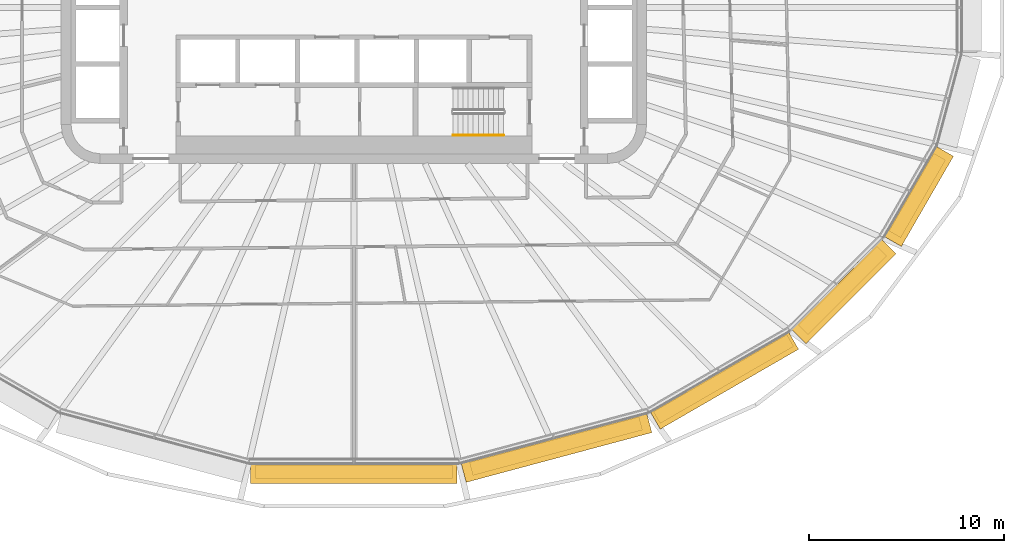
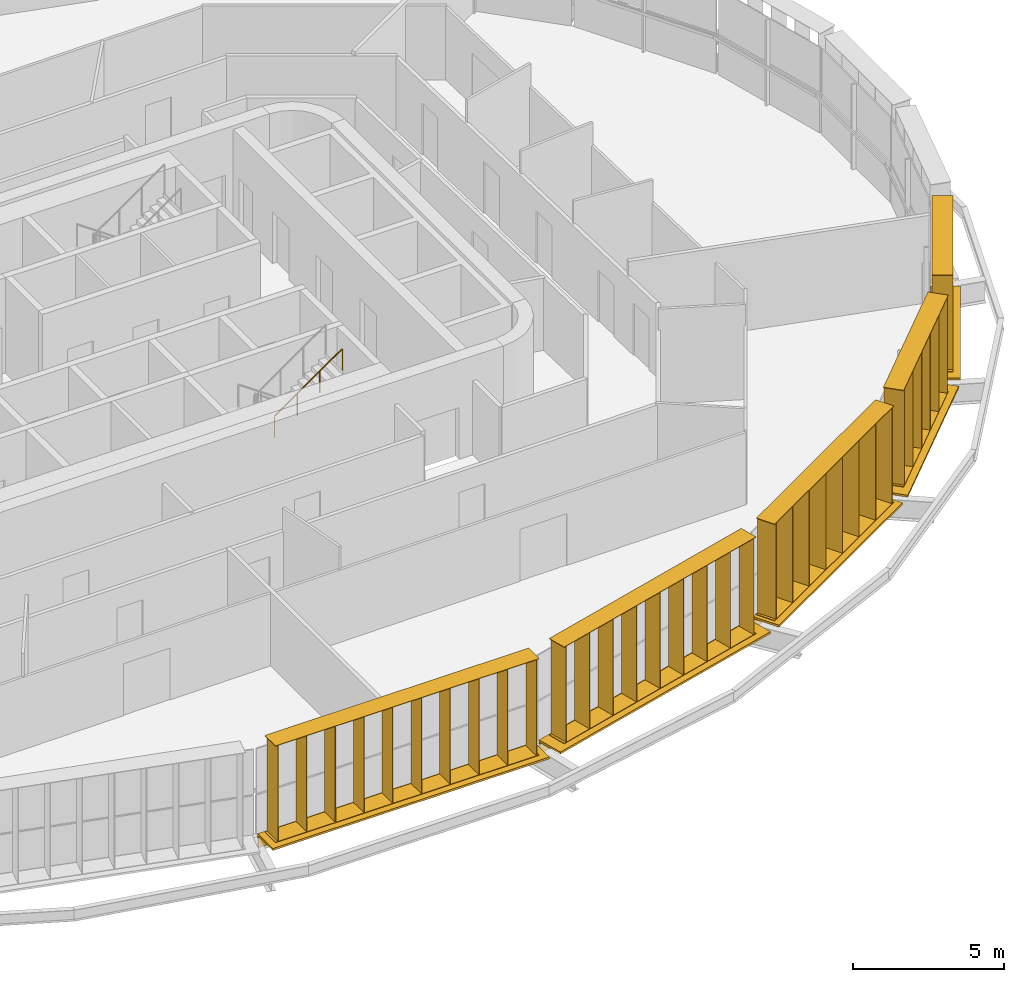
# One storey, part 20 of 23: 10 shading devices, 1 railing.
"""IFC4 building model written with IfcOpenShell, lengths in metres."""

from ifc_helpers import new_model, si_unit, direction, frame, origin, origin_2d, place, context, subcontext, project, spatial, rectangle, circle, extrude, material, type_object, element, save


model = new_model("IFC4")

# Units and contexts
model_context = context("Model", 3, precision=1e-05, world=origin(), true_north=direction((0.0, 1.0)))
body_context = subcontext(model_context, "Body", "Model", "MODEL_VIEW")
ifc_project = project(units=[si_unit("LENGTHUNIT", "METRE"), si_unit("AREAUNIT", "SQUARE_METRE"), si_unit("VOLUMEUNIT", "CUBIC_METRE"), si_unit("PLANEANGLEUNIT", "RADIAN"), si_unit("MASSUNIT", "GRAM", prefix="KILO")], contexts=[model_context])

# Site, building, storey
site_placement = place(None, origin())
site = spatial("IfcSite", under=ifc_project, at=site_placement, CompositionType="ELEMENT")
building_placement = place(site_placement, origin())
building = spatial("IfcBuilding", under=site, at=building_placement, Name="Sahrelin Media Tower", CompositionType="ELEMENT")
storey_placement = place(building_placement, frame((0.0, 0.0, 173.60009765625)))
storey = spatial("IfcBuildingStorey", under=building, at=storey_placement, Name="L36", CompositionType="ELEMENT", Elevation=173.60009765625)

# Shading devices
ifc_material_1 = material(Name="Champagne anodised aluminium 6063-T6", Category="aluminium")
shading_device_type_1 = type_object("IfcShadingDeviceType", Name="Fin cassette", PredefinedType="USERDEFINED", material=ifc_material_1)
placement_1 = place(storey_placement, frame((0.0, -23.37646484375, 0.0), z_axis=(0.0, 0.0, 1.0), x_axis=(-1.0, 0.0, 0.0)))
element("IfcShadingDevice", 1, at=placement_1, inside=storey, type_object=shading_device_type_1, Name="L36:FIN:L36-18", ObjectType="FIN", PredefinedType="USERDEFINED", context=body_context, shape_type="SweptSolid", body=[
    extrude(rectangle(XDim=10.10009765625, YDim=0.699951171875, at=origin_2d()), frame((0.0, 0.419921875, 0.0)), (0.0, 0.0, 1.0), 0.02001953125),
    extrude(rectangle(XDim=10.10009765625, YDim=0.699951171875, at=origin_2d()), frame((0.0, 0.419921875, 3.89990234375)), (0.0, 0.0, 1.0), 0.02001953125),
    extrude(rectangle(XDim=0.02001953125, YDim=0.699951171875, at=origin_2d()), frame((-4.949951171875, 0.419921875, 0.010009765625), z_axis=(0.0, 0.0, 1.0), x_axis=(1.0, 0.0, 0.0)), (0.0, 0.0, 1.0), 3.89990234375),
    extrude(rectangle(XDim=0.02001953125, YDim=0.699951171875, at=origin_2d()), frame((-3.85009765625, 0.419921875, 0.010009765625), z_axis=(0.0, 0.0, 1.0), x_axis=(1.0, 0.0, 0.0)), (0.0, 0.0, 1.0), 3.89990234375),
    extrude(rectangle(XDim=0.02001953125, YDim=0.699951171875, at=origin_2d()), frame((-2.75, 0.419921875, 0.010009765625), z_axis=(0.0, 0.0, 1.0), x_axis=(1.0, 0.0, 0.0)), (0.0, 0.0, 1.0), 3.89990234375),
    extrude(rectangle(XDim=0.02001953125, YDim=0.699951171875, at=origin_2d()), frame((-1.64990234375, 0.419921875, 0.010009765625), z_axis=(0.0, 0.0, 1.0), x_axis=(1.0, 0.0, 0.0)), (0.0, 0.0, 1.0), 3.89990234375),
    extrude(rectangle(XDim=0.02001953125, YDim=0.699951171875, at=origin_2d()), frame((-0.550048828125, 0.419921875, 0.010009765625), z_axis=(0.0, 0.0, 1.0), x_axis=(1.0, 0.0, 0.0)), (0.0, 0.0, 1.0), 3.89990234375),
    extrude(rectangle(XDim=0.02001953125, YDim=0.699951171875, at=origin_2d()), frame((0.550048828125, 0.419921875, 0.010009765625), z_axis=(0.0, 0.0, 1.0), x_axis=(1.0, 0.0, 0.0)), (0.0, 0.0, 1.0), 3.89990234375),
    extrude(rectangle(XDim=0.02001953125, YDim=0.699951171875, at=origin_2d()), frame((1.64990234375, 0.419921875, 0.010009765625), z_axis=(0.0, 0.0, 1.0), x_axis=(1.0, 0.0, 0.0)), (0.0, 0.0, 1.0), 3.89990234375),
    extrude(rectangle(XDim=0.02001953125, YDim=0.699951171875, at=origin_2d()), frame((2.75, 0.419921875, 0.010009765625), z_axis=(0.0, 0.0, 1.0), x_axis=(1.0, 0.0, 0.0)), (0.0, 0.0, 1.0), 3.89990234375),
    extrude(rectangle(XDim=0.02001953125, YDim=0.699951171875, at=origin_2d()), frame((3.85009765625, 0.419921875, 0.010009765625), z_axis=(0.0, 0.0, 1.0), x_axis=(1.0, 0.0, 0.0)), (0.0, 0.0, 1.0), 3.89990234375),
    extrude(rectangle(XDim=0.02001953125, YDim=0.699951171875, at=origin_2d()), frame((4.949951171875, 0.419921875, 0.010009765625), z_axis=(0.0, 0.0, 1.0), x_axis=(1.0, 0.0, 0.0)), (0.0, 0.0, 1.0), 3.89990234375),
])
placement_2 = place(storey_placement, frame((10.246826171875, -22.075927734375, 0.0), z_axis=(0.0, 0.0, 1.0), x_axis=(-0.965928857556, -0.258807731996, 0.0)))
element("IfcShadingDevice", 2, at=placement_2, inside=storey, type_object=shading_device_type_1, Name="L36:FIN:L36-19", ObjectType="FIN", PredefinedType="USERDEFINED", context=body_context, shape_type="SweptSolid", body=[
    extrude(rectangle(XDim=9.0, YDim=0.699951171875, at=origin_2d()), frame((0.0, 0.419921875, 0.0)), (0.0, 0.0, 1.0), 0.02001953125),
    extrude(rectangle(XDim=9.0, YDim=0.699951171875, at=origin_2d()), frame((0.0, 0.419921875, 3.89990234375)), (0.0, 0.0, 1.0), 0.02001953125),
    extrude(rectangle(XDim=0.02001953125, YDim=0.699951171875, at=origin_2d()), frame((-4.39990234375, 0.419921875, 0.010009765625), z_axis=(0.0, 0.0, 1.0), x_axis=(1.0, 0.0, 0.0)), (0.0, 0.0, 1.0), 3.89990234375),
    extrude(rectangle(XDim=0.02001953125, YDim=0.699951171875, at=origin_2d()), frame((-3.300048828125, 0.419921875, 0.010009765625), z_axis=(0.0, 0.0, 1.0), x_axis=(1.0, 0.0, 0.0)), (0.0, 0.0, 1.0), 3.89990234375),
    extrude(rectangle(XDim=0.02001953125, YDim=0.699951171875, at=origin_2d()), frame((-2.199951171875, 0.419921875, 0.010009765625), z_axis=(0.0, 0.0, 1.0), x_axis=(1.0, 0.0, 0.0)), (0.0, 0.0, 1.0), 3.89990234375),
    extrude(rectangle(XDim=0.02001953125, YDim=0.699951171875, at=origin_2d()), frame((-1.10009765625, 0.419921875, 0.010009765625), z_axis=(0.0, 0.0, 1.0), x_axis=(1.0, 0.0, 0.0)), (0.0, 0.0, 1.0), 3.89990234375),
    extrude(rectangle(XDim=0.02001953125, YDim=0.699951171875, at=origin_2d()), frame((0.0, 0.419921875, 0.010009765625), z_axis=(0.0, 0.0, 1.0), x_axis=(1.0, 0.0, 0.0)), (0.0, 0.0, 1.0), 3.89990234375),
    extrude(rectangle(XDim=0.02001953125, YDim=0.699951171875, at=origin_2d()), frame((1.10009765625, 0.419921875, 0.010009765625), z_axis=(0.0, 0.0, 1.0), x_axis=(1.0, 0.0, 0.0)), (0.0, 0.0, 1.0), 3.89990234375),
    extrude(rectangle(XDim=0.02001953125, YDim=0.699951171875, at=origin_2d()), frame((2.199951171875, 0.419921875, 0.010009765625), z_axis=(0.0, 0.0, 1.0), x_axis=(1.0, 0.0, 0.0)), (0.0, 0.0, 1.0), 3.89990234375),
    extrude(rectangle(XDim=0.02001953125, YDim=0.699951171875, at=origin_2d()), frame((3.300048828125, 0.419921875, 0.010009765625), z_axis=(0.0, 0.0, 1.0), x_axis=(1.0, 0.0, 0.0)), (0.0, 0.0, 1.0), 3.89990234375),
    extrude(rectangle(XDim=0.02001953125, YDim=0.699951171875, at=origin_2d()), frame((4.39990234375, 0.419921875, 0.010009765625), z_axis=(0.0, 0.0, 1.0), x_axis=(1.0, 0.0, 0.0)), (0.0, 0.0, 1.0), 3.89990234375),
])
placement_3 = place(storey_placement, frame((18.73095703125, -18.67919921875, 0.0), z_axis=(0.0, 0.0, 1.0), x_axis=(-0.866019052629, -0.500011000363, 0.0)))
element("IfcShadingDevice", 3, at=placement_3, inside=storey, type_object=shading_device_type_1, Name="L36:FIN:L36-20", ObjectType="FIN", PredefinedType="USERDEFINED", context=body_context, shape_type="SweptSolid", body=[
    extrude(rectangle(XDim=7.89990234375, YDim=0.699951171875, at=origin_2d()), frame((0.0, 0.419921875, 0.0)), (0.0, 0.0, 1.0), 0.02001953125),
    extrude(rectangle(XDim=7.89990234375, YDim=0.699951171875, at=origin_2d()), frame((0.0, 0.419921875, 3.89990234375)), (0.0, 0.0, 1.0), 0.02001953125),
    extrude(rectangle(XDim=0.02001953125, YDim=0.699951171875, at=origin_2d()), frame((-3.85009765625, 0.419921875, 0.010009765625), z_axis=(0.0, 0.0, 1.0), x_axis=(1.0, 0.0, 0.0)), (0.0, 0.0, 1.0), 3.89990234375),
    extrude(rectangle(XDim=0.02001953125, YDim=0.699951171875, at=origin_2d()), frame((-2.75, 0.419921875, 0.010009765625), z_axis=(0.0, 0.0, 1.0), x_axis=(1.0, 0.0, 0.0)), (0.0, 0.0, 1.0), 3.89990234375),
    extrude(rectangle(XDim=0.02001953125, YDim=0.699951171875, at=origin_2d()), frame((-1.64990234375, 0.419921875, 0.010009765625), z_axis=(0.0, 0.0, 1.0), x_axis=(1.0, 0.0, 0.0)), (0.0, 0.0, 1.0), 3.89990234375),
    extrude(rectangle(XDim=0.02001953125, YDim=0.699951171875, at=origin_2d()), frame((-0.550048828125, 0.419921875, 0.010009765625), z_axis=(0.0, 0.0, 1.0), x_axis=(1.0, 0.0, 0.0)), (0.0, 0.0, 1.0), 3.89990234375),
    extrude(rectangle(XDim=0.02001953125, YDim=0.699951171875, at=origin_2d()), frame((0.550048828125, 0.419921875, 0.010009765625), z_axis=(0.0, 0.0, 1.0), x_axis=(1.0, 0.0, 0.0)), (0.0, 0.0, 1.0), 3.89990234375),
    extrude(rectangle(XDim=0.02001953125, YDim=0.699951171875, at=origin_2d()), frame((1.64990234375, 0.419921875, 0.010009765625), z_axis=(0.0, 0.0, 1.0), x_axis=(1.0, 0.0, 0.0)), (0.0, 0.0, 1.0), 3.89990234375),
    extrude(rectangle(XDim=0.02001953125, YDim=0.699951171875, at=origin_2d()), frame((2.75, 0.419921875, 0.010009765625), z_axis=(0.0, 0.0, 1.0), x_axis=(1.0, 0.0, 0.0)), (0.0, 0.0, 1.0), 3.89990234375),
    extrude(rectangle(XDim=0.02001953125, YDim=0.699951171875, at=origin_2d()), frame((3.85009765625, 0.419921875, 0.010009765625), z_axis=(0.0, 0.0, 1.0), x_axis=(1.0, 0.0, 0.0)), (0.0, 0.0, 1.0), 3.89990234375),
])
placement_4 = place(storey_placement, frame((24.740966796875, -14.2041015625, 0.0), z_axis=(0.0, 0.0, 1.0), x_axis=(-0.707106781187, -0.707106781187, 0.0)))
element("IfcShadingDevice", 4, at=placement_4, inside=storey, type_object=shading_device_type_1, Name="L36:FIN:L36-21", ObjectType="FIN", PredefinedType="USERDEFINED", context=body_context, shape_type="SweptSolid", body=[
    extrude(rectangle(XDim=5.699951171875, YDim=0.699951171875, at=origin_2d()), frame((0.0, 0.419921875, 0.0)), (0.0, 0.0, 1.0), 0.02001953125),
    extrude(rectangle(XDim=5.699951171875, YDim=0.699951171875, at=origin_2d()), frame((0.0, 0.419921875, 3.89990234375)), (0.0, 0.0, 1.0), 0.02001953125),
    extrude(rectangle(XDim=0.02001953125, YDim=0.699951171875, at=origin_2d()), frame((-2.75, 0.419921875, 0.010009765625), z_axis=(0.0, 0.0, 1.0), x_axis=(1.0, 0.0, 0.0)), (0.0, 0.0, 1.0), 3.89990234375),
    extrude(rectangle(XDim=0.02001953125, YDim=0.699951171875, at=origin_2d()), frame((-1.64990234375, 0.419921875, 0.010009765625), z_axis=(0.0, 0.0, 1.0), x_axis=(1.0, 0.0, 0.0)), (0.0, 0.0, 1.0), 3.89990234375),
    extrude(rectangle(XDim=0.02001953125, YDim=0.699951171875, at=origin_2d()), frame((-0.550048828125, 0.419921875, 0.010009765625), z_axis=(0.0, 0.0, 1.0), x_axis=(1.0, 0.0, 0.0)), (0.0, 0.0, 1.0), 3.89990234375),
    extrude(rectangle(XDim=0.02001953125, YDim=0.699951171875, at=origin_2d()), frame((0.550048828125, 0.419921875, 0.010009765625), z_axis=(0.0, 0.0, 1.0), x_axis=(1.0, 0.0, 0.0)), (0.0, 0.0, 1.0), 3.89990234375),
    extrude(rectangle(XDim=0.02001953125, YDim=0.699951171875, at=origin_2d()), frame((1.64990234375, 0.419921875, 0.010009765625), z_axis=(0.0, 0.0, 1.0), x_axis=(1.0, 0.0, 0.0)), (0.0, 0.0, 1.0), 3.89990234375),
    extrude(rectangle(XDim=0.02001953125, YDim=0.699951171875, at=origin_2d()), frame((2.75, 0.419921875, 0.010009765625), z_axis=(0.0, 0.0, 1.0), x_axis=(1.0, 0.0, 0.0)), (0.0, 0.0, 1.0), 3.89990234375),
])
placement_5 = place(storey_placement, frame((28.50439453125, -9.427001953125, 0.0), z_axis=(0.0, 0.0, 1.0), x_axis=(-0.500011000363, -0.866019052629, 0.0)))
element("IfcShadingDevice", 5, at=placement_5, inside=storey, type_object=shading_device_type_1, Name="L36:FIN:L36-22", ObjectType="FIN", PredefinedType="USERDEFINED", context=body_context, shape_type="SweptSolid", body=[
    extrude(rectangle(XDim=4.60009765625, YDim=0.699951171875, at=origin_2d()), frame((0.0, 0.419921875, 0.0)), (0.0, 0.0, 1.0), 0.02001953125),
    extrude(rectangle(XDim=4.60009765625, YDim=0.699951171875, at=origin_2d()), frame((0.0, 0.419921875, 3.89990234375)), (0.0, 0.0, 1.0), 0.02001953125),
    extrude(rectangle(XDim=0.02001953125, YDim=0.699951171875, at=origin_2d()), frame((-2.199951171875, 0.419921875, 0.010009765625), z_axis=(0.0, 0.0, 1.0), x_axis=(1.0, 0.0, 0.0)), (0.0, 0.0, 1.0), 3.89990234375),
    extrude(rectangle(XDim=0.02001953125, YDim=0.699951171875, at=origin_2d()), frame((-1.10009765625, 0.419921875, 0.010009765625), z_axis=(0.0, 0.0, 1.0), x_axis=(1.0, 0.0, 0.0)), (0.0, 0.0, 1.0), 3.89990234375),
    extrude(rectangle(XDim=0.02001953125, YDim=0.699951171875, at=origin_2d()), frame((0.0, 0.419921875, 0.010009765625), z_axis=(0.0, 0.0, 1.0), x_axis=(1.0, 0.0, 0.0)), (0.0, 0.0, 1.0), 3.89990234375),
    extrude(rectangle(XDim=0.02001953125, YDim=0.699951171875, at=origin_2d()), frame((1.10009765625, 0.419921875, 0.010009765625), z_axis=(0.0, 0.0, 1.0), x_axis=(1.0, 0.0, 0.0)), (0.0, 0.0, 1.0), 3.89990234375),
    extrude(rectangle(XDim=0.02001953125, YDim=0.699951171875, at=origin_2d()), frame((2.199951171875, 0.419921875, 0.010009765625), z_axis=(0.0, 0.0, 1.0), x_axis=(1.0, 0.0, 0.0)), (0.0, 0.0, 1.0), 3.89990234375),
])

# Railing
ifc_material_2 = material(Name="Steel S355", Category="steel")
railing_type = type_object("IfcRailingType", Name="Stair handrail 900", PredefinedType="HANDRAIL", material=ifc_material_2)
railing_placement = place(storey_placement, frame((5.074951171875, -6.550048828125, 2.181640625)))
element("IfcRailing", 6, at=railing_placement, inside=storey, type_object=railing_type, Name="L36 ST2 stair handrail 2", PredefinedType="HANDRAIL", context=body_context, shape_type="SweptSolid", body=[
    extrude(circle(Radius=0.02392578125, at=origin_2d()), frame((0.0, 0.0, 0.8759765625), z_axis=(0.819484887739, 0.0, 0.573100792852), x_axis=(0.0, 1.0, 0.0)), (0.0, 0.0, 1.0), 3.1728515625),
    extrude(circle(Radius=0.02099609375, at=origin_2d()), origin(), (0.0, 0.0, 1.0), 0.851806640625),
    extrude(circle(Radius=0.02099609375, at=origin_2d()), frame((0.86669921875, 0.0, 0.606201171875)), (0.0, 0.0, 1.0), 0.851806640625),
    extrude(circle(Radius=0.02099609375, at=origin_2d()), frame((1.7333984375, 0.0, 1.212158203125)), (0.0, 0.0, 1.0), 0.851806640625),
    extrude(circle(Radius=0.02099609375, at=origin_2d()), frame((2.60009765625, 0.0, 1.818359375)), (0.0, 0.0, 1.0), 0.851806640625),
])

# Shading devices
shading_device_type_2 = type_object("IfcShadingDeviceType", Name="Sunshade band", PredefinedType="USERDEFINED", material=ifc_material_1)
element("IfcShadingDevice", 7, at=placement_1, inside=storey, type_object=shading_device_type_2, Name="L36:SUN:L36-18", ObjectType="SUNSHADE", PredefinedType="USERDEFINED", context=body_context, shape_type="SweptSolid", body=[
    extrude(rectangle(XDim=10.587890625, YDim=0.050048828125, at=origin_2d()), frame((0.0, 0.044921875, -0.55126953125)), (0.0, 0.0, 1.0), 0.471435546875),
    extrude(rectangle(XDim=10.587890625, YDim=1.0, at=origin_2d()), frame((0.0, 0.52001953125, -0.080078125)), (0.0, 0.0, 1.0), 0.080078125),
    extrude(rectangle(XDim=0.10009765625, YDim=0.074951171875, at=origin_2d()), frame((-5.194091796875, -0.017578125, -0.47021484375)), (0.0, 0.0, 1.0), 0.300048828125),
    extrude(rectangle(XDim=0.10009765625, YDim=0.074951171875, at=origin_2d()), frame((-3.462646484375, -0.017578125, -0.47021484375)), (0.0, 0.0, 1.0), 0.300048828125),
    extrude(rectangle(XDim=0.10009765625, YDim=0.074951171875, at=origin_2d()), frame((-1.731201171875, -0.017578125, -0.47021484375)), (0.0, 0.0, 1.0), 0.300048828125),
    extrude(rectangle(XDim=0.10009765625, YDim=0.074951171875, at=origin_2d()), frame((0.0, -0.017578125, -0.47021484375)), (0.0, 0.0, 1.0), 0.300048828125),
    extrude(rectangle(XDim=0.10009765625, YDim=0.074951171875, at=origin_2d()), frame((1.731201171875, -0.017578125, -0.47021484375)), (0.0, 0.0, 1.0), 0.300048828125),
    extrude(rectangle(XDim=0.10009765625, YDim=0.074951171875, at=origin_2d()), frame((3.462646484375, -0.017578125, -0.47021484375)), (0.0, 0.0, 1.0), 0.300048828125),
    extrude(rectangle(XDim=0.10009765625, YDim=0.074951171875, at=origin_2d()), frame((5.194091796875, -0.017578125, -0.47021484375)), (0.0, 0.0, 1.0), 0.300048828125),
])
element("IfcShadingDevice", 8, at=placement_2, inside=storey, type_object=shading_device_type_2, Name="L36:SUN:L36-19", ObjectType="SUNSHADE", PredefinedType="USERDEFINED", context=body_context, shape_type="SweptSolid", body=[
    extrude(rectangle(XDim=9.848388671875, YDim=0.050048828125, at=origin_2d()), frame((0.0, 0.044921875, -0.55126953125)), (0.0, 0.0, 1.0), 0.471435546875),
    extrude(rectangle(XDim=9.848388671875, YDim=1.0, at=origin_2d()), frame((0.0, 0.52001953125, -0.080078125)), (0.0, 0.0, 1.0), 0.080078125),
    extrude(rectangle(XDim=0.10009765625, YDim=0.074951171875, at=origin_2d()), frame((-4.82421875, -0.017578125, -0.47021484375)), (0.0, 0.0, 1.0), 0.300048828125),
    extrude(rectangle(XDim=0.10009765625, YDim=0.074951171875, at=origin_2d()), frame((-2.89453125, -0.017578125, -0.47021484375)), (0.0, 0.0, 1.0), 0.300048828125),
    extrude(rectangle(XDim=0.10009765625, YDim=0.074951171875, at=origin_2d()), frame((-0.96484375, -0.017578125, -0.47021484375)), (0.0, 0.0, 1.0), 0.300048828125),
    extrude(rectangle(XDim=0.10009765625, YDim=0.074951171875, at=origin_2d()), frame((0.96484375, -0.017578125, -0.47021484375)), (0.0, 0.0, 1.0), 0.300048828125),
    extrude(rectangle(XDim=0.10009765625, YDim=0.074951171875, at=origin_2d()), frame((2.89453125, -0.017578125, -0.47021484375)), (0.0, 0.0, 1.0), 0.300048828125),
    extrude(rectangle(XDim=0.10009765625, YDim=0.074951171875, at=origin_2d()), frame((4.82421875, -0.017578125, -0.47021484375)), (0.0, 0.0, 1.0), 0.300048828125),
])
element("IfcShadingDevice", 9, at=placement_3, inside=storey, type_object=shading_device_type_2, Name="L36:SUN:L36-20", ObjectType="SUNSHADE", PredefinedType="USERDEFINED", context=body_context, shape_type="SweptSolid", body=[
    extrude(rectangle(XDim=8.185546875, YDim=0.050048828125, at=origin_2d()), frame((0.0, 0.044921875, -0.55126953125)), (0.0, 0.0, 1.0), 0.471435546875),
    extrude(rectangle(XDim=8.185546875, YDim=1.0, at=origin_2d()), frame((0.0, 0.52001953125, -0.080078125)), (0.0, 0.0, 1.0), 0.080078125),
    extrude(rectangle(XDim=0.10009765625, YDim=0.074951171875, at=origin_2d()), frame((-3.992919921875, -0.017578125, -0.47021484375)), (0.0, 0.0, 1.0), 0.300048828125),
    extrude(rectangle(XDim=0.10009765625, YDim=0.074951171875, at=origin_2d()), frame((-2.395751953125, -0.017578125, -0.47021484375)), (0.0, 0.0, 1.0), 0.300048828125),
    extrude(rectangle(XDim=0.10009765625, YDim=0.074951171875, at=origin_2d()), frame((-0.798583984375, -0.017578125, -0.47021484375)), (0.0, 0.0, 1.0), 0.300048828125),
    extrude(rectangle(XDim=0.10009765625, YDim=0.074951171875, at=origin_2d()), frame((0.798583984375, -0.017578125, -0.47021484375)), (0.0, 0.0, 1.0), 0.300048828125),
    extrude(rectangle(XDim=0.10009765625, YDim=0.074951171875, at=origin_2d()), frame((2.395751953125, -0.017578125, -0.47021484375)), (0.0, 0.0, 1.0), 0.300048828125),
    extrude(rectangle(XDim=0.10009765625, YDim=0.074951171875, at=origin_2d()), frame((3.992919921875, -0.017578125, -0.47021484375)), (0.0, 0.0, 1.0), 0.300048828125),
])
element("IfcShadingDevice", 10, at=placement_4, inside=storey, type_object=shading_device_type_2, Name="L36:SUN:L36-21", ObjectType="SUNSHADE", PredefinedType="USERDEFINED", context=body_context, shape_type="SweptSolid", body=[
    extrude(rectangle(XDim=6.528564453125, YDim=0.050048828125, at=origin_2d()), frame((0.0, 0.044921875, -0.55126953125)), (0.0, 0.0, 1.0), 0.471435546875),
    extrude(rectangle(XDim=6.528564453125, YDim=1.0, at=origin_2d()), frame((0.0, 0.52001953125, -0.080078125)), (0.0, 0.0, 1.0), 0.080078125),
    extrude(rectangle(XDim=0.10009765625, YDim=0.074951171875, at=origin_2d()), frame((-3.164306640625, -0.017578125, -0.47021484375)), (0.0, 0.0, 1.0), 0.300048828125),
    extrude(rectangle(XDim=0.10009765625, YDim=0.074951171875, at=origin_2d()), frame((-1.58203125, -0.017578125, -0.47021484375)), (0.0, 0.0, 1.0), 0.300048828125),
    extrude(rectangle(XDim=0.10009765625, YDim=0.074951171875, at=origin_2d()), frame((0.0, -0.017578125, -0.47021484375)), (0.0, 0.0, 1.0), 0.300048828125),
    extrude(rectangle(XDim=0.10009765625, YDim=0.074951171875, at=origin_2d()), frame((1.58203125, -0.017578125, -0.47021484375)), (0.0, 0.0, 1.0), 0.300048828125),
    extrude(rectangle(XDim=0.10009765625, YDim=0.074951171875, at=origin_2d()), frame((3.164306640625, -0.017578125, -0.47021484375)), (0.0, 0.0, 1.0), 0.300048828125),
])
element("IfcShadingDevice", 11, at=placement_5, inside=storey, type_object=shading_device_type_2, Name="L36:SUN:L36-22", ObjectType="SUNSHADE", PredefinedType="USERDEFINED", context=body_context, shape_type="SweptSolid", body=[
    extrude(rectangle(XDim=5.33837890625, YDim=0.050048828125, at=origin_2d()), frame((0.0, 0.044921875, -0.55126953125)), (0.0, 0.0, 1.0), 0.471435546875),
    extrude(rectangle(XDim=5.33837890625, YDim=1.0, at=origin_2d()), frame((0.0, 0.52001953125, -0.080078125)), (0.0, 0.0, 1.0), 0.080078125),
    extrude(rectangle(XDim=0.10009765625, YDim=0.074951171875, at=origin_2d()), frame((-2.569091796875, -0.017578125, -0.47021484375)), (0.0, 0.0, 1.0), 0.300048828125),
    extrude(rectangle(XDim=0.10009765625, YDim=0.074951171875, at=origin_2d()), frame((-0.8564453125, -0.017578125, -0.47021484375)), (0.0, 0.0, 1.0), 0.300048828125),
    extrude(rectangle(XDim=0.10009765625, YDim=0.074951171875, at=origin_2d()), frame((0.8564453125, -0.017578125, -0.47021484375)), (0.0, 0.0, 1.0), 0.300048828125),
    extrude(rectangle(XDim=0.10009765625, YDim=0.074951171875, at=origin_2d()), frame((2.569091796875, -0.017578125, -0.47021484375)), (0.0, 0.0, 1.0), 0.300048828125),
])

save(model, "model.ifc")
